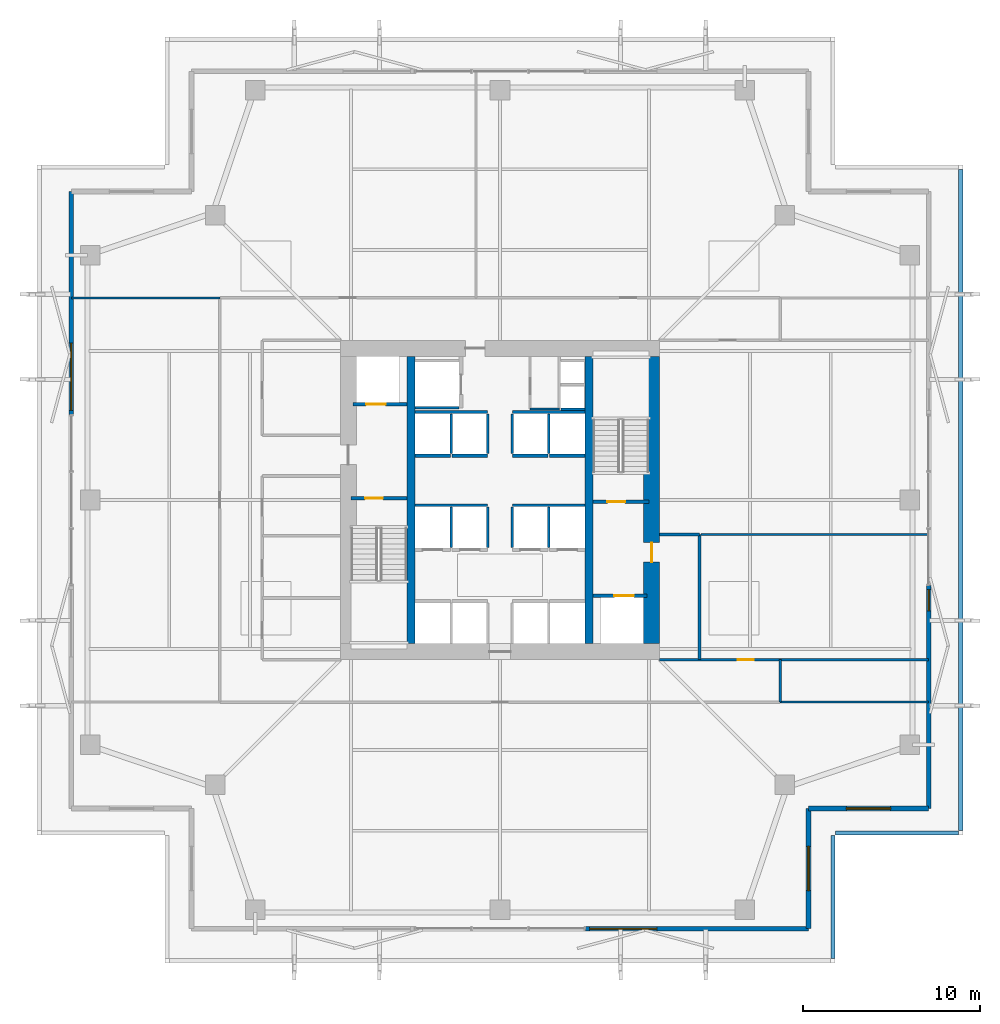
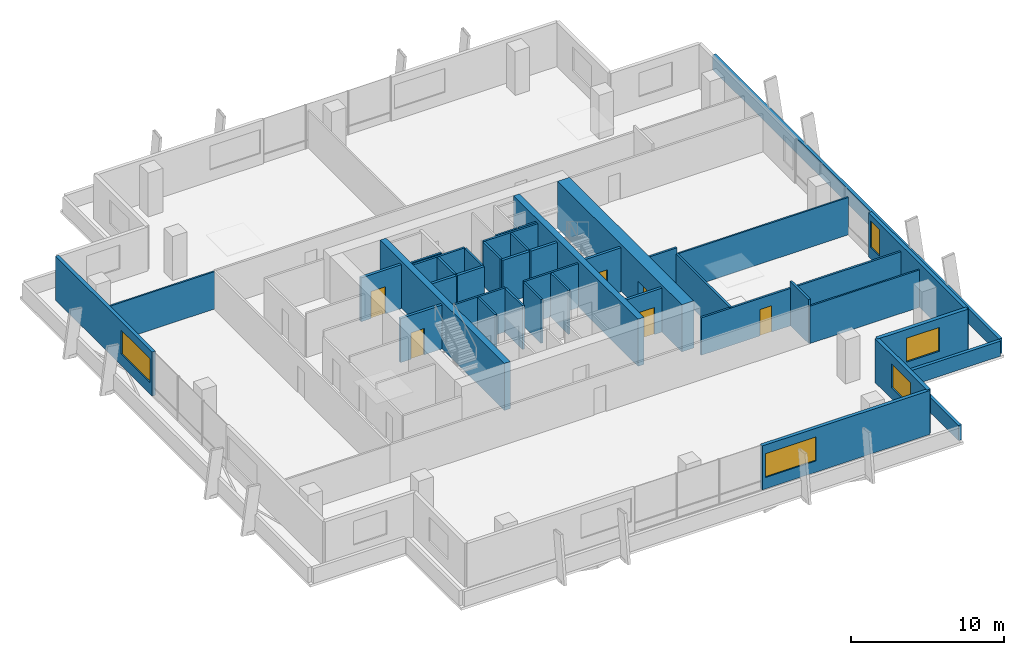
# One storey, part 13 of 16: 41 walls, 6 doors, 5 windows, 11 openings.
"""IFC4 building model written with IfcOpenShell, lengths in metres."""

from ifc_helpers import new_model, si_unit, direction, frame, frame_2d, origin, place, context, subcontext, project, spatial, rectangle, extrude, material, layer, layer_set, type_object, element, fill, save


model = new_model("IFC4")

# Units and contexts
model_context = context("Model", 3, precision=1e-05, world=origin(), true_north=direction((0.0, 1.0)))
body_context = subcontext(model_context, "Body", "Model", "MODEL_VIEW")
ifc_project = project(units=[si_unit("LENGTHUNIT", "METRE"), si_unit("AREAUNIT", "SQUARE_METRE"), si_unit("VOLUMEUNIT", "CUBIC_METRE"), si_unit("PLANEANGLEUNIT", "RADIAN"), si_unit("MASSUNIT", "GRAM", prefix="KILO")], contexts=[model_context])

# Site, building, storey
site_placement = place(None, origin())
site = spatial("IfcSite", under=ifc_project, at=site_placement, CompositionType="ELEMENT")
building_placement = place(site_placement, origin())
building = spatial("IfcBuilding", under=site, at=building_placement, Name="Belovzor Exchange Tower", CompositionType="ELEMENT")
storey_placement = place(building_placement, frame((0.0, 0.0, 138.300048828125)))
storey = spatial("IfcBuildingStorey", under=building, at=storey_placement, Name="L33", CompositionType="ELEMENT", Elevation=138.300048828125)

# Walls
ifc_material_1 = material(Name="Acoustic Plasterboard on Galvanised Studs", Category="gypsum")
ifc_layer_1 = layer(ifc_material_1, 0.1201171875)
ifc_layer_set_1 = layer_set([ifc_layer_1], Name="Acoustic Plasterboard on Galvanised Studs")
wall_type_1 = type_object("IfcWallType", Name="Acoustic Double-Stud Partition Wall 120", PredefinedType="PARTITIONING", material=ifc_layer_set_1)
wall_1_placement = place(storey_placement, frame((40.125, 26.85009765625, 0.0), z_axis=(0.0, 0.0, 1.0), x_axis=(1.0, 0.0, 0.0)))
element("IfcWall", 1, at=wall_1_placement, inside=storey, type_object=wall_type_1, Name="W-P120 Partition Wall W-L33-EDIV-1", PredefinedType="PARTITIONING", context=body_context, shape_type="SweptSolid", body=[
    extrude(rectangle(XDim=12.844970703125, YDim=0.1201171875, at=frame_2d((6.42236328125, 0.0))), origin(), (0.0, 0.0, 1.0), 2.97998046875),
])
wall_2_placement = place(storey_placement, frame((44.60009765625, 17.39990234375, 0.0), z_axis=(0.0, 0.0, 1.0), x_axis=(1.0, 0.0, 0.0)))
element("IfcWall", 2, at=wall_2_placement, inside=storey, type_object=wall_type_1, Name="W-P120 Partition Wall W-L33-END-SE", PredefinedType="PARTITIONING", context=body_context, shape_type="SweptSolid", body=[
    extrude(rectangle(XDim=8.369873046875, YDim=0.1201171875, at=frame_2d((4.18505859375, 0.0))), origin(), (0.0, 0.0, 1.0), 2.97998046875),
])
wall_3_placement = place(storey_placement, frame((4.6298828125, 40.199951171875, 0.0), z_axis=(0.0, 0.0, 1.0), x_axis=(1.0, 0.0, 0.0)))
element("IfcWall", 3, at=wall_3_placement, inside=storey, type_object=wall_type_1, Name="W-P120 Partition Wall W-L33-END-NW", PredefinedType="PARTITIONING", context=body_context, shape_type="SweptSolid", body=[
    extrude(rectangle(XDim=8.3701171875, YDim=0.1201171875, at=frame_2d((4.18505859375, 0.0))), origin(), (0.0, 0.0, 1.0), 2.97998046875),
])
ifc_material_2 = material(Name="Fire-Rated Plasterboard on Galvanised Studs", Category="gypsum")
ifc_layer_2 = layer(ifc_material_2, 0.1201171875)
ifc_layer_set_2 = layer_set([ifc_layer_2], Name="Fire-Rated Plasterboard on Galvanised Studs")
wall_type_2 = type_object("IfcWallType", Name="Fire-Rated Double-Stud Partition Wall 120", PredefinedType="PARTITIONING", material=ifc_layer_set_2)
wall_4_placement = place(storey_placement, frame((30.5, 33.925048828125, 0.0), z_axis=(0.0, 0.0, 1.0), x_axis=(1.0, 0.0, 0.0)))
element("IfcWall", 4, at=wall_4_placement, inside=storey, type_object=wall_type_2, Name="W-P120F Partition Wall W-CRV-L33-S", PredefinedType="PARTITIONING", context=body_context, shape_type="SweptSolid", body=[
    extrude(rectangle(XDim=1.64990234375, YDim=0.1201171875, at=frame_2d((0.824951171875, 0.0))), origin(), (0.0, 0.0, 1.0), 3.494873046875),
])
ifc_material_3 = material(Name="Fire-Rated Gypsum Block and Mineral Wool", Category="gypsum")
ifc_layer_3 = layer(ifc_material_3, 0.14990234375)
ifc_layer_set_3 = layer_set([ifc_layer_3], Name="Fire-Rated Gypsum Block and Mineral Wool")
wall_type_3 = type_object("IfcWallType", Name="Fire-Rated Gypsum Block Corridor Wall 150", PredefinedType="PARTITIONING", material=ifc_layer_set_3)
wall_5_placement = place(storey_placement, frame((37.800048828125, 26.85009765625, 0.0), z_axis=(0.0, 0.0, 1.0), x_axis=(1.0, 0.0, 0.0)))
element("IfcWall", 5, at=wall_5_placement, inside=storey, type_object=wall_type_3, Name="W-P150 Partition Wall W-L33-CFE-N", PredefinedType="PARTITIONING", context=body_context, shape_type="SweptSolid", body=[
    extrude(rectangle(XDim=2.25, YDim=0.14990234375, at=frame_2d((1.125, 0.0))), origin(), (0.0, 0.0, 1.0), 3.494873046875),
])
wall_6_placement = place(storey_placement, frame((40.050048828125, 19.800048828125, 0.0), z_axis=(0.0, 0.0, 1.0), x_axis=(0.0, 1.0, 0.0)))
element("IfcWall", 6, at=wall_6_placement, inside=storey, type_object=wall_type_3, Name="W-P150 Partition Wall W-L33-CFE-E", PredefinedType="PARTITIONING", context=body_context, shape_type="SweptSolid", body=[
    extrude(rectangle(XDim=7.050048828125, YDim=0.14990234375, at=frame_2d((3.52490234375, 0.0))), origin(), (0.0, 0.0, 1.0), 3.030029296875),
])
wall_7_placement = place(storey_placement, frame((44.60009765625, 17.39990234375, 0.0), z_axis=(0.0, 0.0, 1.0), x_axis=(0.0, 1.0, 0.0)))
element("IfcWall", 7, at=wall_7_placement, inside=storey, type_object=wall_type_3, Name="W-P150 Partition Wall W-L33-END-ES", PredefinedType="PARTITIONING", context=body_context, shape_type="SweptSolid", body=[
    extrude(rectangle(XDim=2.400146484375, YDim=0.14990234375, at=frame_2d((1.2001953125, 0.0))), origin(), (0.0, 0.0, 1.0), 3.494873046875),
])

# Wall, opening, door
wall_8_placement = place(storey_placement, frame((37.800048828125, 19.800048828125, 0.0), z_axis=(0.0, 0.0, 1.0), x_axis=(1.0, 0.0, 0.0)))
wall_8 = element("IfcWall", 8, at=wall_8_placement, inside=storey, type_object=wall_type_3, Name="W-P150 Partition Wall W-L33-CS-IN", PredefinedType="PARTITIONING", context=body_context, shape_type="SweptSolid", body=[
    extrude(rectangle(XDim=15.169921875, YDim=0.14990234375, at=frame_2d((7.5849609375, 0.0))), origin(), (0.0, 0.0, 1.0), 2.97998046875),
])
opening_1_placement = place(wall_8_placement, frame((4.39990234375, 0.0, 0.0)))
opening_1 = element("IfcOpeningElement", 9, at=opening_1_placement, cuts=wall_8, Name="Opening D-INT-090", PredefinedType="OPENING", context=body_context, shape_type="SweptSolid", body=[
    extrude(rectangle(XDim=0.89990234375, YDim=2.10009765625, at=frame_2d((0.449951171875, 1.050048828125))), frame((0.0, 0.0849609375, 0.0), z_axis=(0.0, -1.0, 0.0), x_axis=(1.0, 0.0, 0.0)), (0.0, 0.0, 1.0), 0.169921875),
])
ifc_material_4 = material(Name="Veneered Hardwood Acoustic Leaf", Category="wood")
door_type_1 = type_object("IfcDoorType", Name="Trading Suite Acoustic Single Door 900x2100", OperationType="NOTDEFINED", PredefinedType="DOOR", material=ifc_material_4)
door_1_placement = place(opening_1_placement, origin())
door_1 = element("IfcDoor", 10, at=door_1_placement, inside=storey, type_object=door_type_1, Name="D-INT-090 Trading Suite Acoustic Single Door 900x2100", OperationType="SINGLE_SWING_LEFT", OverallHeight=2.10009765625, OverallWidth=0.89990234375, PredefinedType="DOOR", context=body_context, shape_type="SweptSolid", body=[
    extrude(rectangle(XDim=0.89990234375, YDim=2.10009765625, at=frame_2d((0.449951171875, 1.050048828125))), frame((0.0, 0.02490234375, 0.0), z_axis=(0.0, -1.0, 0.0), x_axis=(1.0, 0.0, 0.0)), (0.0, 0.0, 1.0), 0.050048828125),
])
fill(opening_1, door_1)

# Wall, opening, window
ifc_material_5 = material(Name="Precast concrete C40/50", Category="concrete")
ifc_layer_4 = layer(ifc_material_5, 0.280029296875)
ifc_layer_set_4 = layer_set([ifc_layer_4], Name="Precast concrete C40/50")
wall_type_4 = type_object("IfcWallType", Name="Precast Concrete Notched Corner Frame Wall 280", PredefinedType="SOLIDWALL", material=ifc_layer_set_4)
wall_9_placement = place(storey_placement, frame((52.969970703125, 11.39990234375, 0.0), z_axis=(0.0, 0.0, 1.0), x_axis=(-1.0, 0.0, 0.0)))
wall_9 = element("IfcWall", 11, at=wall_9_placement, inside=storey, type_object=wall_type_4, Name="W-CRN280 Precast Concrete Notched Corner Frame Wall 280 L33", PredefinedType="SOLIDWALL", context=body_context, shape_type="SweptSolid", body=[
    extrude(rectangle(XDim=6.77001953125, YDim=0.280029296875, at=frame_2d((3.385009765625, 0.0))), origin(), (0.0, 0.0, 1.0), 3.494873046875),
])
opening_2_placement = place(wall_9_placement, frame((2.135009765625, 0.0, 0.89990234375)))
opening_2 = element("IfcOpeningElement", 12, at=opening_2_placement, cuts=wall_9, Name="Opening WN-CRN250", PredefinedType="OPENING", context=body_context, shape_type="SweptSolid", body=[
    extrude(rectangle(XDim=2.5, YDim=1.89990234375, at=frame_2d((1.25, 0.949951171875))), frame((0.0, 0.14990234375, 0.0), z_axis=(0.0, -1.0, 0.0), x_axis=(1.0, 0.0, 0.0)), (0.0, 0.0, 1.0), 0.300048828125),
])
ifc_material_6 = material(Name="Thermally Broken Aluminium and Triple Glazing", Category="aluminium")
window_type_1 = type_object("IfcWindowType", Name="Streamline Moderne Corner Wrap Ribbon Window 2500x1900", PartitioningType="SINGLE_PANEL", PredefinedType="WINDOW", material=ifc_material_6)
window_1_placement = place(opening_2_placement, origin())
window_1 = element("IfcWindow", 13, at=window_1_placement, inside=storey, type_object=window_type_1, Name="WN-CRN250 Streamline Moderne Corner Wrap Ribbon Window 2500x1900", OverallHeight=1.89990234375, OverallWidth=2.5, PartitioningType="SINGLE_PANEL", PredefinedType="WINDOW", context=body_context, shape_type="SweptSolid", body=[
    extrude(rectangle(XDim=2.5, YDim=1.89990234375, at=frame_2d((1.25, 0.949951171875))), frame((0.0, 0.030029296875, 0.0), z_axis=(0.0, -1.0, 0.0), x_axis=(1.0, 0.0, 0.0)), (0.0, 0.0, 1.0), 0.06005859375),
])
fill(opening_2, window_1)

wall_10_placement = place(storey_placement, frame((46.199951171875, 11.39990234375, 0.0), z_axis=(0.0, 0.0, 1.0), x_axis=(0.0, -1.0, 0.0)))
wall_10 = element("IfcWall", 14, at=wall_10_placement, inside=storey, type_object=wall_type_4, Name="W-CRN280 Precast Concrete Notched Corner Frame Wall 280 L33", PredefinedType="SOLIDWALL", context=body_context, shape_type="SweptSolid", body=[
    extrude(rectangle(XDim=6.77001953125, YDim=0.280029296875, at=frame_2d((3.385009765625, 0.0))), origin(), (0.0, 0.0, 1.0), 3.494873046875),
])
opening_3_placement = place(wall_10_placement, frame((2.135009765625, 0.0, 0.89990234375)))
opening_3 = element("IfcOpeningElement", 15, at=opening_3_placement, cuts=wall_10, Name="Opening WN-CRN250", PredefinedType="OPENING", context=body_context, shape_type="SweptSolid", body=[
    extrude(rectangle(XDim=2.5, YDim=1.89990234375, at=frame_2d((1.25, 0.949951171875))), frame((0.0, 0.14990234375, 0.0), z_axis=(0.0, -1.0, 0.0), x_axis=(1.0, 0.0, 0.0)), (0.0, 0.0, 1.0), 0.300048828125),
])
window_2_placement = place(opening_3_placement, origin())
window_2 = element("IfcWindow", 16, at=window_2_placement, inside=storey, type_object=window_type_1, Name="WN-CRN250 Streamline Moderne Corner Wrap Ribbon Window 2500x1900", OverallHeight=1.89990234375, OverallWidth=2.5, PartitioningType="SINGLE_PANEL", PredefinedType="WINDOW", context=body_context, shape_type="SweptSolid", body=[
    extrude(rectangle(XDim=2.5, YDim=1.89990234375, at=frame_2d((1.25, 0.949951171875))), frame((0.0, 0.030029296875, 0.0), z_axis=(0.0, -1.0, 0.0), x_axis=(1.0, 0.0, 0.0)), (0.0, 0.0, 1.0), 0.06005859375),
])
fill(opening_3, window_2)

ifc_material_7 = material(Name="Precast concrete C40/50", Category="concrete")
ifc_layer_5 = layer(ifc_material_7, 0.260009765625)
ifc_layer_set_5 = layer_set([ifc_layer_5], Name="Precast concrete C40/50")
wall_type_5 = type_object("IfcWallType", Name="Precast Concrete Perimeter Loggia Frame Wall 260", PredefinedType="SOLIDWALL", material=ifc_layer_set_5)
wall_11_placement = place(storey_placement, frame((46.199951171875, 4.6298828125, 0.0), z_axis=(0.0, 0.0, 1.0), x_axis=(-1.0, 0.0, 0.0)))
wall_11 = element("IfcWall", 17, at=wall_11_placement, inside=storey, type_object=wall_type_5, Name="W-EXT260 Precast Concrete Perimeter Loggia Frame Wall 260 L33", PredefinedType="SOLIDWALL", context=body_context, shape_type="SweptSolid", body=[
    extrude(rectangle(XDim=12.599853515625, YDim=0.260009765625, at=frame_2d((6.2998046875, 0.0))), origin(), (0.0, 0.0, 1.0), 3.494873046875),
])
opening_4_placement = place(wall_11_placement, frame((8.550048828125, 0.0, 0.89990234375)))
opening_4 = element("IfcOpeningElement", 18, at=opening_4_placement, cuts=wall_11, Name="Opening WN-RIB380", PredefinedType="OPENING", context=body_context, shape_type="SweptSolid", body=[
    extrude(rectangle(XDim=3.800048828125, YDim=1.89990234375, at=frame_2d((1.89990234375, 0.949951171875))), frame((0.0, 0.139892578125, 0.0), z_axis=(0.0, -1.0, 0.0), x_axis=(1.0, 0.0, 0.0)), (0.0, 0.0, 1.0), 0.280029296875),
])
ifc_material_8 = material(Name="Thermally Broken Aluminium and Triple Glazing", Category="aluminium")
window_type_2 = type_object("IfcWindowType", Name="Streamline Moderne Horizontal Ribbon Window 3800x1900", PartitioningType="SINGLE_PANEL", PredefinedType="WINDOW", material=ifc_material_8)
window_3_placement = place(opening_4_placement, origin())
window_3 = element("IfcWindow", 19, at=window_3_placement, inside=storey, type_object=window_type_2, Name="WN-RIB380 Streamline Moderne Horizontal Ribbon Window 3800x1900", OverallHeight=1.89990234375, OverallWidth=3.800048828125, PartitioningType="SINGLE_PANEL", PredefinedType="WINDOW", context=body_context, shape_type="SweptSolid", body=[
    extrude(rectangle(XDim=3.800048828125, YDim=1.89990234375, at=frame_2d((1.89990234375, 0.949951171875))), frame((0.0, 0.030029296875, 0.0), z_axis=(0.0, -1.0, 0.0), x_axis=(1.0, 0.0, 0.0)), (0.0, 0.0, 1.0), 0.06005859375),
])
fill(opening_4, window_3)

wall_12_placement = place(storey_placement, frame((4.6298828125, 33.60009765625, 0.0), z_axis=(0.0, 0.0, 1.0), x_axis=(0.0, 1.0, 0.0)))
wall_12 = element("IfcWall", 20, at=wall_12_placement, inside=storey, type_object=wall_type_5, Name="W-EXT260 Precast Concrete Perimeter Loggia Frame Wall 260 L33", PredefinedType="SOLIDWALL", context=body_context, shape_type="SweptSolid", body=[
    extrude(rectangle(XDim=12.599853515625, YDim=0.260009765625, at=frame_2d((6.2998046875, 0.0))), origin(), (0.0, 0.0, 1.0), 3.494873046875),
])
opening_5_placement = place(wall_12_placement, frame((0.25, 0.0, 0.89990234375)))
opening_5 = element("IfcOpeningElement", 21, at=opening_5_placement, cuts=wall_12, Name="Opening WN-RIB380", PredefinedType="OPENING", context=body_context, shape_type="SweptSolid", body=[
    extrude(rectangle(XDim=3.800048828125, YDim=1.89990234375, at=frame_2d((1.89990234375, 0.949951171875))), frame((0.0, 0.139892578125, 0.0), z_axis=(0.0, -1.0, 0.0), x_axis=(1.0, 0.0, 0.0)), (0.0, 0.0, 1.0), 0.280029296875),
])
window_4_placement = place(opening_5_placement, origin())
window_4 = element("IfcWindow", 22, at=window_4_placement, inside=storey, type_object=window_type_2, Name="WN-RIB380 Streamline Moderne Horizontal Ribbon Window 3800x1900", OverallHeight=1.89990234375, OverallWidth=3.800048828125, PartitioningType="SINGLE_PANEL", PredefinedType="WINDOW", context=body_context, shape_type="SweptSolid", body=[
    extrude(rectangle(XDim=3.800048828125, YDim=1.89990234375, at=frame_2d((1.89990234375, 0.949951171875))), frame((0.0, 0.030029296875, 0.0), z_axis=(0.0, -1.0, 0.0), x_axis=(1.0, 0.0, 0.0)), (0.0, 0.0, 1.0), 0.06005859375),
])
fill(opening_5, window_4)

wall_13_placement = place(storey_placement, frame((52.969970703125, 24.0, 0.0), z_axis=(0.0, 0.0, 1.0), x_axis=(0.0, -1.0, 0.0)))
wall_13 = element("IfcWall", 23, at=wall_13_placement, inside=storey, type_object=wall_type_5, Name="W-EXT260 Precast Concrete Perimeter Loggia Frame Wall 260 L33", PredefinedType="SOLIDWALL", context=body_context, shape_type="SweptSolid", body=[
    extrude(rectangle(XDim=12.60009765625, YDim=0.260009765625, at=frame_2d((6.300048828125, 0.0))), origin(), (0.0, 0.0, 1.0), 3.494873046875),
])
opening_6_placement = place(wall_13_placement, frame((0.25, 0.0, 0.89990234375)))
opening_6 = element("IfcOpeningElement", 24, at=opening_6_placement, cuts=wall_13, Name="Opening WN-CRN120", PredefinedType="OPENING", context=body_context, shape_type="SweptSolid", body=[
    extrude(rectangle(XDim=1.199951171875, YDim=2.10009765625, at=frame_2d((0.60009765625, 1.050048828125))), frame((0.0, 0.139892578125, 0.0), z_axis=(0.0, -1.0, 0.0), x_axis=(1.0, 0.0, 0.0)), (0.0, 0.0, 1.0), 0.280029296875),
])
ifc_material_9 = material(Name="Thermally Broken Aluminium and Triple Glazing", Category="aluminium")
window_type_3 = type_object("IfcWindowType", Name="Streamline Notched Corner Window 1200x2100", PartitioningType="SINGLE_PANEL", PredefinedType="WINDOW", material=ifc_material_9)
window_5_placement = place(opening_6_placement, origin())
window_5 = element("IfcWindow", 25, at=window_5_placement, inside=storey, type_object=window_type_3, Name="WN-CRN120 Streamline Notched Corner Window 1200x2100", OverallHeight=2.10009765625, OverallWidth=1.199951171875, PartitioningType="SINGLE_PANEL", PredefinedType="WINDOW", context=body_context, shape_type="SweptSolid", body=[
    extrude(rectangle(XDim=1.199951171875, YDim=2.10009765625, at=frame_2d((0.60009765625, 1.050048828125))), frame((0.0, 0.030029296875, 0.0), z_axis=(0.0, -1.0, 0.0), x_axis=(1.0, 0.0, 0.0)), (0.0, 0.0, 1.0), 0.06005859375),
])
fill(opening_6, window_5)

# Walls
ifc_material_10 = material(Name="Precast concrete C40/50", Category="concrete")
ifc_layer_6 = layer(ifc_material_10, 0.239990234375)
ifc_layer_set_6 = layer_set([ifc_layer_6], Name="Precast concrete C40/50")
wall_type_6 = type_object("IfcWallType", Name="Precast Stone Setback Roof Parapet Wall 240", PredefinedType="PARAPET", material=ifc_layer_set_6)
for number, where, z_axis, x_axis, name in (
    (26, (47.580078125, 2.955078125, 0.0), (0.0, 0.0, 1.0), (0.0, 1.0, 0.0), "W-PAR240 Precast Stone Setback Roof Parapet Wall 240 L33"),
    (27, (47.715087890625, 10.02001953125, 0.0), (0.0, 0.0, 1.0), (1.0, 0.0, 0.0), "W-PAR240 Precast Stone Setback Roof Parapet Wall 240 L33"),
):
    element("IfcWall", number, at=place(storey_placement, frame(where, z_axis=z_axis, x_axis=x_axis)), inside=storey, type_object=wall_type_6, Name=name, PredefinedType="PARAPET", context=body_context, shape_type="SweptSolid", body=[
        extrude(rectangle(XDim=6.929931640625, YDim=0.239990234375, at=frame_2d((3.46484375, 0.0))), origin(), (0.0, 0.0, 1.0), 1.199951171875),
    ])
wall_14_placement = place(storey_placement, frame((54.780029296875, 10.155029296875, 0.0), z_axis=(0.0, 0.0, 1.0), x_axis=(0.0, 1.0, 0.0)))
element("IfcWall", 28, at=wall_14_placement, inside=storey, type_object=wall_type_6, Name="W-PAR240 Precast Stone Setback Roof Parapet Wall 240 L33", PredefinedType="PARAPET", context=body_context, shape_type="SweptSolid", body=[
    extrude(rectangle(XDim=37.2900390625, YDim=0.239990234375, at=frame_2d((18.64501953125, 0.0))), origin(), (0.0, 0.0, 1.0), 1.199951171875),
])
ifc_material_11 = material(Name="Concrete C50/60", Category="concrete")
ifc_layer_7 = layer(ifc_material_11, 0.449951171875)
ifc_layer_set_7 = layer_set([ifc_layer_7], Name="Concrete C50/60")
wall_type_7 = type_object("IfcWallType", Name="Reinforced Concrete Core Internal Web Wall 450", PredefinedType="SHEAR", material=ifc_layer_set_7)
for number, where, z_axis, x_axis, name in (
    (29, (23.77490234375, 20.699951171875, 0.0), (0.0, 0.0, 1.0), (0.0, 1.0, 0.0), "CW-W045 Core Internal Web Wall L33 WL"),
    (30, (33.824951171875, 20.699951171875, 0.0), (0.0, 0.0, 1.0), (0.0, 1.0, 0.0), "CW-W045 Core Internal Web Wall L33 ER"),
):
    element("IfcWall", number, at=place(storey_placement, frame(where, z_axis=z_axis, x_axis=x_axis)), inside=storey, type_object=wall_type_7, Name=name, PredefinedType="SHEAR", context=body_context, shape_type="SweptSolid", body=[
        extrude(rectangle(XDim=16.199951171875, YDim=0.449951171875, at=frame_2d((8.10009765625, 0.0))), origin(), (0.0, 0.0, 1.0), 3.75),
    ])
ifc_material_12 = material(Name="Concrete C50/60", Category="concrete")
ifc_layer_8 = layer(ifc_material_12, 0.14990234375)
ifc_layer_set_8 = layer_set([ifc_layer_8], Name="Concrete C50/60")
wall_type_8 = type_object("IfcWallType", Name="Reinforced Concrete Core Riser Shear Wall 150", PredefinedType="SHEAR", material=ifc_layer_set_8)
wall_15_placement = place(storey_placement, frame((32.25, 33.925048828125, 0.0), z_axis=(0.0, 0.0, 1.0), x_axis=(1.0, 0.0, 0.0)))
element("IfcWall", 31, at=wall_15_placement, inside=storey, type_object=wall_type_8, Name="W-C150S Core Shaft Wall W-RSR-L33-S", PredefinedType="SHEAR", context=body_context, shape_type="SweptSolid", body=[
    extrude(rectangle(XDim=1.330078125, YDim=0.14990234375, at=frame_2d((0.6650390625, 0.0))), origin(), (0.0, 0.0, 1.0), 3.494873046875),
])
wall_16_placement = place(storey_placement, frame((24.0, 34.0, 0.0), z_axis=(0.0, 0.0, 1.0), x_axis=(1.0, 0.0, 0.0)))
element("IfcWall", 32, at=wall_16_placement, inside=storey, type_object=wall_type_8, Name="W-C150S Core Shaft Wall W-SH-L33-SL-01S", PredefinedType="SHEAR", context=body_context, shape_type="SweptSolid", body=[
    extrude(rectangle(XDim=2.47998046875, YDim=0.14990234375, at=frame_2d((1.239990234375, 0.0))), origin(), (0.0, 0.0, 1.0), 3.494873046875),
])
for number, where, z_axis, x_axis, name in (
    (33, (24.02001953125, 28.5, 0.0), (0.0, 0.0, 1.0), (1.0, 0.0, 0.0), "W-C150S Core Shaft Wall W-SHB-L33-PLM-NW"),
    (34, (29.5, 28.5, 0.0), (0.0, 0.0, 1.0), (1.0, 0.0, 0.0), "W-C150S Core Shaft Wall W-SHB-L33-PLM-NE"),
):
    element("IfcWall", number, at=place(storey_placement, frame(where, z_axis=z_axis, x_axis=x_axis)), inside=storey, type_object=wall_type_8, Name=name, PredefinedType="SHEAR", context=body_context, shape_type="SweptSolid", body=[
        extrude(rectangle(XDim=4.080078125, YDim=0.14990234375, at=frame_2d((2.0400390625, 0.0))), origin(), (0.0, 0.0, 1.0), 3.494873046875),
    ])
for number, where, z_axis, x_axis, name in (
    (35, (26.050048828125, 26.1201171875, 0.0), (0.0, 0.0, 1.0), (0.0, 1.0, 0.0), "W-C150S Core Shaft Wall W-SHD-L33-PLM-1"),
    (36, (28.10009765625, 26.1201171875, 0.0), (0.0, 0.0, 1.0), (0.0, 1.0, 0.0), "W-C150S Core Shaft Wall W-SHD-L33-PLM-2"),
    (37, (29.5, 26.1201171875, 0.0), (0.0, 0.0, 1.0), (0.0, 1.0, 0.0), "W-C150S Core Shaft Wall W-SHD-L33-PLM-3"),
    (38, (31.550048828125, 26.1201171875, 0.0), (0.0, 0.0, 1.0), (0.0, 1.0, 0.0), "W-C150S Core Shaft Wall W-SHD-L33-PLM-4"),
):
    element("IfcWall", number, at=place(storey_placement, frame(where, z_axis=z_axis, x_axis=x_axis)), inside=storey, type_object=wall_type_8, Name=name, PredefinedType="SHEAR", context=body_context, shape_type="SweptSolid", body=[
        extrude(rectangle(XDim=2.27978515625, YDim=0.14990234375, at=frame_2d((1.139892578125, 0.0))), origin(), (0.0, 0.0, 1.0), 3.494873046875),
    ])
for number, where, z_axis, x_axis, name in (
    (39, (24.02001953125, 33.760009765625, 0.0), (0.0, 0.0, 1.0), (1.0, 0.0, 0.0), "W-C150S Core Shaft Wall W-SHB-L33-PLH-NW"),
    (40, (29.5, 33.760009765625, 0.0), (0.0, 0.0, 1.0), (1.0, 0.0, 0.0), "W-C150S Core Shaft Wall W-SHB-L33-PLH-NE"),
):
    element("IfcWall", number, at=place(storey_placement, frame(where, z_axis=z_axis, x_axis=x_axis)), inside=storey, type_object=wall_type_8, Name=name, PredefinedType="SHEAR", context=body_context, shape_type="SweptSolid", body=[
        extrude(rectangle(XDim=4.080078125, YDim=0.14990234375, at=frame_2d((2.0400390625, 0.0))), origin(), (0.0, 0.0, 1.0), 3.494873046875),
    ])
for number, where, z_axis, x_axis, name in (
    (41, (26.050048828125, 31.419921875, 0.0), (0.0, 0.0, 1.0), (0.0, 1.0, 0.0), "W-C150S Core Shaft Wall W-SHD-L33-PLH-1"),
    (42, (28.10009765625, 31.419921875, 0.0), (0.0, 0.0, 1.0), (0.0, 1.0, 0.0), "W-C150S Core Shaft Wall W-SHD-L33-PLH-2"),
    (43, (29.5, 31.419921875, 0.0), (0.0, 0.0, 1.0), (0.0, 1.0, 0.0), "W-C150S Core Shaft Wall W-SHD-L33-PLH-3"),
    (44, (31.550048828125, 31.419921875, 0.0), (0.0, 0.0, 1.0), (0.0, 1.0, 0.0), "W-C150S Core Shaft Wall W-SHD-L33-PLH-4"),
):
    element("IfcWall", number, at=place(storey_placement, frame(where, z_axis=z_axis, x_axis=x_axis)), inside=storey, type_object=wall_type_8, Name=name, PredefinedType="SHEAR", context=body_context, shape_type="SweptSolid", body=[
        extrude(rectangle(XDim=2.239990234375, YDim=0.14990234375, at=frame_2d((1.1201171875, 0.0))), origin(), (0.0, 0.0, 1.0), 3.494873046875),
    ])

# Wall, opening, door
ifc_material_13 = material(Name="Concrete C50/60", Category="concrete")
ifc_layer_9 = layer(ifc_material_13, 0.199951171875)
ifc_layer_set_9 = layer_set([ifc_layer_9], Name="Concrete C50/60")
wall_type_9 = type_object("IfcWallType", Name="Reinforced Concrete Core Shaft Shear Wall 200", PredefinedType="SHEAR", material=ifc_layer_set_9)
wall_17_placement = place(storey_placement, frame((20.39990234375, 28.89990234375, 0.0), z_axis=(0.0, 0.0, 1.0), x_axis=(1.0, 0.0, 0.0)))
wall_17 = element("IfcWall", 45, at=wall_17_placement, inside=storey, type_object=wall_type_9, Name="W-C200S Core Shaft Wall W-CORE-L33-FFLW1", PredefinedType="SHEAR", context=body_context, shape_type="SweptSolid", body=[
    extrude(rectangle(XDim=3.150146484375, YDim=0.199951171875, at=frame_2d((1.5751953125, 0.0))), origin(), (0.0, 0.0, 1.0), 3.494873046875),
])
opening_7_placement = place(wall_17_placement, frame((0.800048828125, 0.0, 0.0)))
opening_7 = element("IfcOpeningElement", 46, at=opening_7_placement, cuts=wall_17, Name="Opening D-FD90-100", PredefinedType="OPENING", context=body_context, shape_type="SweptSolid", body=[
    extrude(rectangle(XDim=1.0, YDim=2.10009765625, at=frame_2d((0.5, 1.050048828125))), frame((0.0, 0.10986328125, 0.0), z_axis=(0.0, -1.0, 0.0), x_axis=(1.0, 0.0, 0.0)), (0.0, 0.0, 1.0), 0.219970703125),
])
ifc_material_14 = material(Name="Fire-Rated Galvanised Steel Leaf", Category="steel")
door_type_2 = type_object("IfcDoorType", Name="Protected Stairwell Single Fire Door 1000x2100", OperationType="NOTDEFINED", PredefinedType="DOOR", material=ifc_material_14)
door_2_placement = place(opening_7_placement, origin())
door_2 = element("IfcDoor", 47, at=door_2_placement, inside=storey, type_object=door_type_2, Name="D-FD90-100 Protected Stairwell Single Fire Door 1000x2100", OperationType="SINGLE_SWING_RIGHT", OverallHeight=2.10009765625, OverallWidth=1.0, PredefinedType="DOOR", context=body_context, shape_type="SweptSolid", body=[
    extrude(rectangle(XDim=1.0, YDim=2.10009765625, at=frame_2d((0.5, 1.050048828125))), frame((0.0, 0.02490234375, 0.0), z_axis=(0.0, -1.0, 0.0), x_axis=(1.0, 0.0, 0.0)), (0.0, 0.0, 1.0), 0.050048828125),
])
fill(opening_7, door_2)

wall_18_placement = place(storey_placement, frame((34.050048828125, 28.699951171875, 0.0), z_axis=(0.0, 0.0, 1.0), x_axis=(1.0, 0.0, 0.0)))
wall_18 = element("IfcWall", 48, at=wall_18_placement, inside=storey, type_object=wall_type_9, Name="W-C200S Core Shaft Wall W-CORE-L33-FFLE2", PredefinedType="SHEAR", context=body_context, shape_type="SweptSolid", body=[
    extrude(rectangle(XDim=3.14990234375, YDim=0.199951171875, at=frame_2d((1.574951171875, 0.0))), origin(), (0.0, 0.0, 1.0), 3.494873046875),
])
opening_8_placement = place(wall_18_placement, frame((0.800048828125, 0.0, 0.0)))
opening_8 = element("IfcOpeningElement", 49, at=opening_8_placement, cuts=wall_18, Name="Opening D-FD90-100", PredefinedType="OPENING", context=body_context, shape_type="SweptSolid", body=[
    extrude(rectangle(XDim=1.0, YDim=2.10009765625, at=frame_2d((0.5, 1.050048828125))), frame((0.0, 0.10986328125, 0.0), z_axis=(0.0, -1.0, 0.0), x_axis=(1.0, 0.0, 0.0)), (0.0, 0.0, 1.0), 0.219970703125),
])
door_3_placement = place(opening_8_placement, origin())
door_3 = element("IfcDoor", 50, at=door_3_placement, inside=storey, type_object=door_type_2, Name="D-FD90-100 Protected Stairwell Single Fire Door 1000x2100", OperationType="SINGLE_SWING_LEFT", OverallHeight=2.10009765625, OverallWidth=1.0, PredefinedType="DOOR", context=body_context, shape_type="SweptSolid", body=[
    extrude(rectangle(XDim=1.0, YDim=2.10009765625, at=frame_2d((0.5, 1.050048828125))), frame((0.0, 0.02490234375, 0.0), z_axis=(0.0, -1.0, 0.0), x_axis=(1.0, 0.0, 0.0)), (0.0, 0.0, 1.0), 0.050048828125),
])
fill(opening_8, door_3)

wall_19_placement = place(storey_placement, frame((20.5, 34.199951171875, 0.0), z_axis=(0.0, 0.0, 1.0), x_axis=(1.0, 0.0, 0.0)))
wall_19 = element("IfcWall", 51, at=wall_19_placement, inside=storey, type_object=wall_type_9, Name="W-C200S Core Shaft Wall W-SH-L33-FFL-01", PredefinedType="SHEAR", context=body_context, shape_type="SweptSolid", body=[
    extrude(rectangle(XDim=3.050048828125, YDim=0.199951171875, at=frame_2d((1.52490234375, 0.0))), origin(), (0.0, 0.0, 1.0), 3.494873046875),
])
opening_9_placement = place(wall_19_placement, frame((0.75, 0.0, 0.0)))
opening_9 = element("IfcOpeningElement", 52, at=opening_9_placement, cuts=wall_19, Name="Opening LD-110", PredefinedType="OPENING", context=body_context, shape_type="SweptSolid", body=[
    extrude(rectangle(XDim=1.10009765625, YDim=2.14990234375, at=frame_2d((0.550048828125, 1.074951171875))), frame((0.0, 0.10986328125, 0.0), z_axis=(0.0, -1.0, 0.0), x_axis=(1.0, 0.0, 0.0)), (0.0, 0.0, 1.0), 0.219970703125),
])
ifc_material_15 = material(Name="Stainless Steel Grade 304", Category="steel")
door_type_3 = type_object("IfcDoorType", Name="Automated Stainless Steel Lift Landing Door 1100x2150", OperationType="SLIDING_TO_RIGHT", PredefinedType="DOOR", material=ifc_material_15)
door_4_placement = place(opening_9_placement, origin())
door_4 = element("IfcDoor", 53, at=door_4_placement, inside=storey, type_object=door_type_3, Name="LD-110 Automated Stainless Steel Lift Landing Door 1100x2150", OperationType="SLIDING_TO_RIGHT", OverallHeight=2.14990234375, OverallWidth=1.10009765625, PredefinedType="DOOR", context=body_context, shape_type="SweptSolid", body=[
    extrude(rectangle(XDim=1.10009765625, YDim=2.14990234375, at=frame_2d((0.550048828125, 1.074951171875))), frame((0.0, 0.02490234375, 0.0), z_axis=(0.0, -1.0, 0.0), x_axis=(1.0, 0.0, 0.0)), (0.0, 0.0, 1.0), 0.050048828125),
])
fill(opening_9, door_4)

wall_20_placement = place(storey_placement, frame((34.050048828125, 23.39990234375, 0.0), z_axis=(0.0, 0.0, 1.0), x_axis=(1.0, 0.0, 0.0)))
wall_20 = element("IfcWall", 54, at=wall_20_placement, inside=storey, type_object=wall_type_9, Name="W-C200S Core Shaft Wall W-SH-L33-FFL-02", PredefinedType="SHEAR", context=body_context, shape_type="SweptSolid", body=[
    extrude(rectangle(XDim=3.050048828125, YDim=0.199951171875, at=frame_2d((1.52490234375, 0.0))), origin(), (0.0, 0.0, 1.0), 3.494873046875),
])
opening_10_placement = place(wall_20_placement, frame((1.199951171875, 0.0, 0.0)))
opening_10 = element("IfcOpeningElement", 55, at=opening_10_placement, cuts=wall_20, Name="Opening LD-110", PredefinedType="OPENING", context=body_context, shape_type="SweptSolid", body=[
    extrude(rectangle(XDim=1.10009765625, YDim=2.14990234375, at=frame_2d((0.550048828125, 1.074951171875))), frame((0.0, 0.10986328125, 0.0), z_axis=(0.0, -1.0, 0.0), x_axis=(1.0, 0.0, 0.0)), (0.0, 0.0, 1.0), 0.219970703125),
])
door_5_placement = place(opening_10_placement, origin())
door_5 = element("IfcDoor", 56, at=door_5_placement, inside=storey, type_object=door_type_3, Name="LD-110 Automated Stainless Steel Lift Landing Door 1100x2150", OperationType="SLIDING_TO_RIGHT", OverallHeight=2.14990234375, OverallWidth=1.10009765625, PredefinedType="DOOR", context=body_context, shape_type="SweptSolid", body=[
    extrude(rectangle(XDim=1.10009765625, YDim=2.14990234375, at=frame_2d((0.550048828125, 1.074951171875))), frame((0.0, 0.02490234375, 0.0), z_axis=(0.0, -1.0, 0.0), x_axis=(1.0, 0.0, 0.0)), (0.0, 0.0, 1.0), 0.050048828125),
])
fill(opening_10, door_5)

# Walls
for number, where, z_axis, x_axis, name in (
    (57, (24.0, 31.300048828125, 0.0), (0.0, 0.0, 1.0), (1.0, 0.0, 0.0), "W-C200S Core Shaft Wall W-SH-L33-PL-H1"),
    (58, (26.10009765625, 31.300048828125, 0.0), (0.0, 0.0, 1.0), (1.0, 0.0, 0.0), "W-C200S Core Shaft Wall W-SH-L33-PL-H2"),
    (59, (29.5, 31.300048828125, 0.0), (0.0, 0.0, 1.0), (1.0, 0.0, 0.0), "W-C200S Core Shaft Wall W-SH-L33-PL-H3"),
    (60, (31.60009765625, 31.300048828125, 0.0), (0.0, 0.0, 1.0), (1.0, 0.0, 0.0), "W-C200S Core Shaft Wall W-SH-L33-PL-H4"),
):
    element("IfcWall", number, at=place(storey_placement, frame(where, z_axis=z_axis, x_axis=x_axis)), inside=storey, type_object=wall_type_9, Name=name, PredefinedType="SHEAR", context=body_context, shape_type="SweptSolid", body=[
        extrude(rectangle(XDim=2.0, YDim=0.199951171875, at=frame_2d((1.0, 0.0))), origin(), (0.0, 0.0, 1.0), 3.494873046875),
    ])

# Wall, opening, door
ifc_material_16 = material(Name="Concrete C60/75", Category="concrete")
ifc_layer_10 = layer(ifc_material_16, 0.89990234375)
ifc_layer_set_10 = layer_set([ifc_layer_10], Name="Concrete C60/75")
wall_type_10 = type_object("IfcWallType", Name="Reinforced Concrete Core Shear Wall 900", PredefinedType="SHEAR", material=ifc_layer_set_10)
wall_21_placement = place(storey_placement, frame((37.35009765625, 20.699951171875, 0.0), z_axis=(0.0, 0.0, 1.0), x_axis=(0.0, 1.0, 0.0)))
wall_21 = element("IfcWall", 61, at=wall_21_placement, inside=storey, type_object=wall_type_10, Name="CW-S090 Core Shear Wall L33 E", PredefinedType="SHEAR", context=body_context, shape_type="SweptSolid", body=[
    extrude(rectangle(XDim=16.199951171875, YDim=0.89990234375, at=frame_2d((8.10009765625, 0.0))), origin(), (0.0, 0.0, 1.0), 3.75),
])
opening_11_placement = place(wall_21_placement, frame((4.60009765625, 0.0, 0.0)))
opening_11 = element("IfcOpeningElement", 62, at=opening_11_placement, cuts=wall_21, Name="Opening D-FD90-110", PredefinedType="OPENING", context=body_context, shape_type="SweptSolid", body=[
    extrude(rectangle(XDim=1.10009765625, YDim=2.14990234375, at=frame_2d((0.550048828125, 1.074951171875))), frame((0.0, 0.4599609375, 0.0), z_axis=(0.0, -1.0, 0.0), x_axis=(1.0, 0.0, 0.0)), (0.0, 0.0, 1.0), 0.919921875),
])
ifc_material_17 = material(Name="Fire-Rated Galvanised Steel Leaf", Category="steel")
door_type_4 = type_object("IfcDoorType", Name="Protected Escape Vestibule Fire Door 1100x2150", OperationType="NOTDEFINED", PredefinedType="DOOR", material=ifc_material_17)
door_6_placement = place(opening_11_placement, origin())
door_6 = element("IfcDoor", 63, at=door_6_placement, inside=storey, type_object=door_type_4, Name="D-FD90-110 Protected Escape Vestibule Fire Door 1100x2150", OperationType="SINGLE_SWING_RIGHT", OverallHeight=2.14990234375, OverallWidth=1.10009765625, PredefinedType="DOOR", context=body_context, shape_type="SweptSolid", body=[
    extrude(rectangle(XDim=1.10009765625, YDim=2.14990234375, at=frame_2d((0.550048828125, 1.074951171875))), frame((0.0, 0.02490234375, 0.0), z_axis=(0.0, -1.0, 0.0), x_axis=(1.0, 0.0, 0.0)), (0.0, 0.0, 1.0), 0.050048828125),
])
fill(opening_11, door_6)

save(model, "model.ifc")
